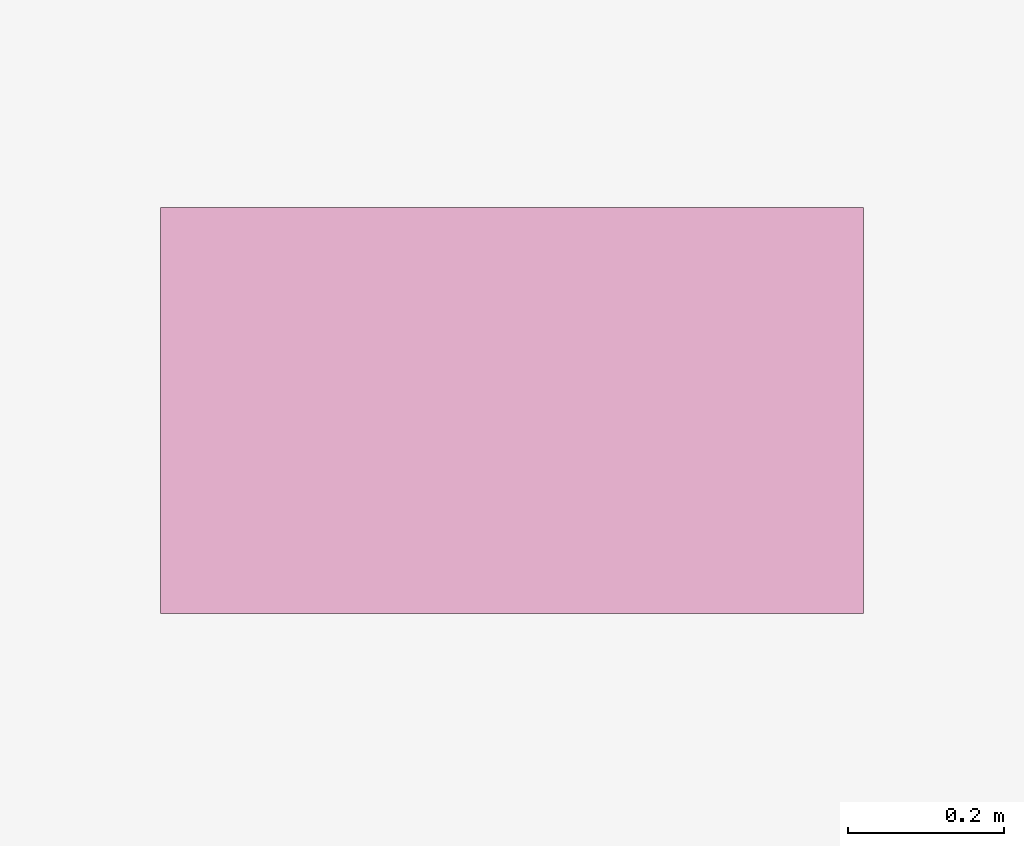
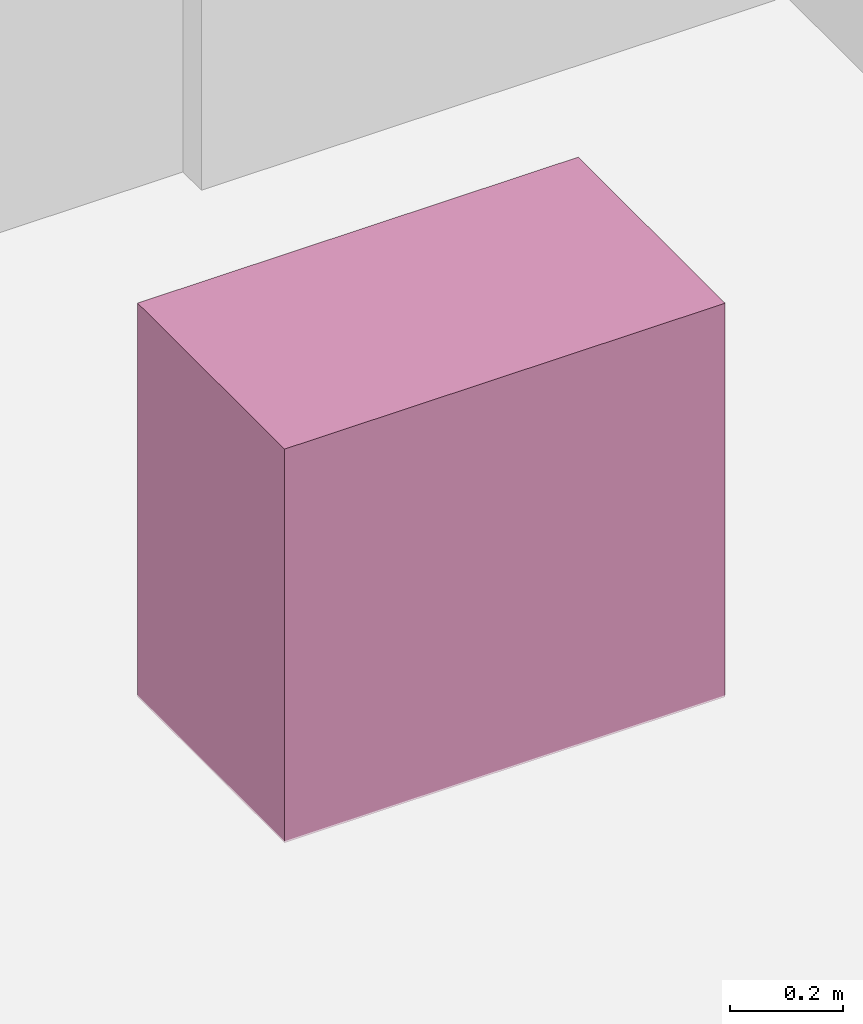
# One storey, part 29 of 29: 1 furnishing.
"""IFC4 building model written with IfcOpenShell, lengths in metres."""

from ifc_helpers import new_model, si_unit, direction, frame, origin, origin_2d, place, context, subcontext, project, spatial, rectangle, extrude, material, type_object, element, save


model = new_model("IFC4")

# Units and contexts
model_context = context("Model", 3, precision=1e-05, world=origin(), true_north=direction((0.0, 1.0)))
body_context = subcontext(model_context, "Body", "Model", "MODEL_VIEW")
ifc_project = project(units=[si_unit("LENGTHUNIT", "METRE"), si_unit("AREAUNIT", "SQUARE_METRE"), si_unit("VOLUMEUNIT", "CUBIC_METRE"), si_unit("PLANEANGLEUNIT", "RADIAN"), si_unit("MASSUNIT", "GRAM", prefix="KILO")], contexts=[model_context])

# Site, building, storey
site_placement = place(None, origin())
site = spatial("IfcSite", under=ifc_project, at=site_placement, CompositionType="ELEMENT")
building_placement = place(site_placement, origin())
building = spatial("IfcBuilding", under=site, at=building_placement, Name="Vorneva Point Tower", CompositionType="ELEMENT")
storey_placement = place(building_placement, frame((0.0, 0.0, 255.550048828125)))
storey = spatial("IfcBuildingStorey", under=building, at=storey_placement, Name="L69", CompositionType="ELEMENT", Elevation=255.550048828125)

# Furnishing
ifc_material = material(Name="Vitreous china and granite top", Category="masonry")
furniture_type = type_object("IfcFurnitureType", Name="FUR-VAN-900", AssemblyPlace="NOTDEFINED", PredefinedType="NOTDEFINED", material=ifc_material)
furnishing_placement = place(storey_placement, frame((37.97509765625, 32.1201171875, -0.005126953125), z_axis=(0.0, 0.0, 1.0), x_axis=(1.0, 0.0, 0.0)))
element("IfcFurnishingElement", 1, at=furnishing_placement, inside=storey, type_object=furniture_type, Name="L69 Accessible WC Vanity Unit", ObjectType="L69 Accessible WC Vanity Unit", context=body_context, shape_type="SweptSolid", body=[
    extrude(rectangle(XDim=0.89990234375, YDim=0.52001953125, at=origin_2d()), origin(), (0.0, 0.0, 1.0), 0.85009765625),
])

save(model, "model.ifc")
